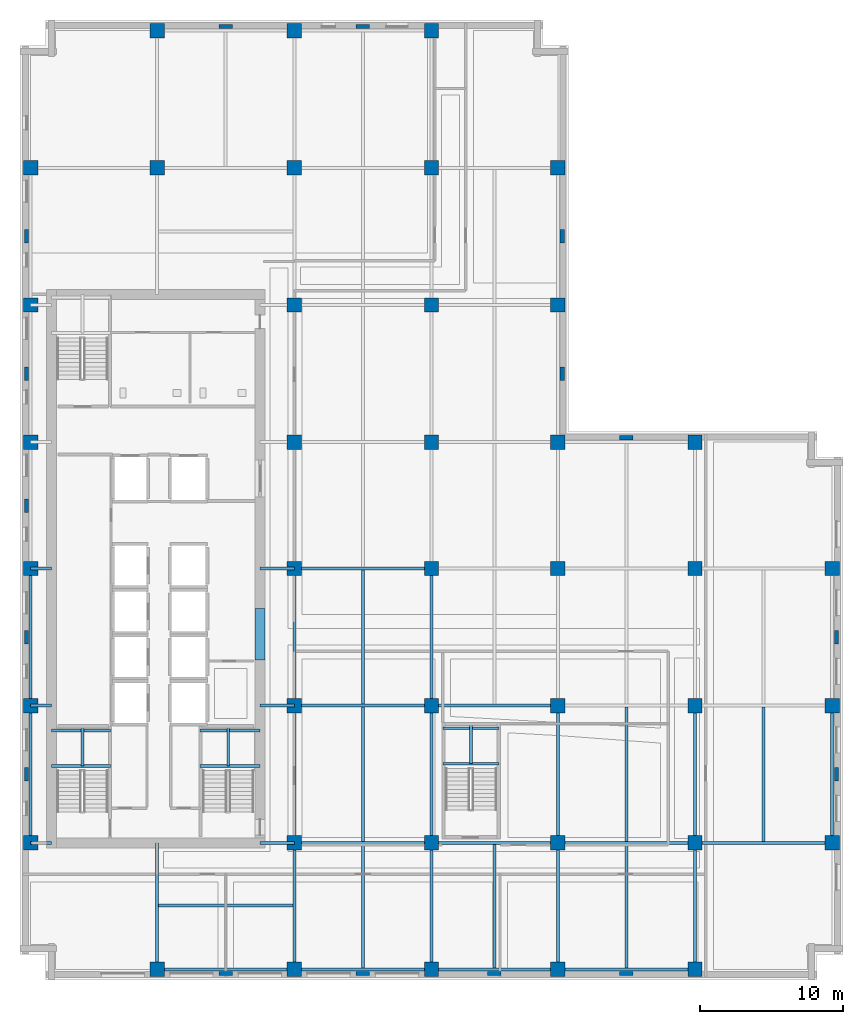
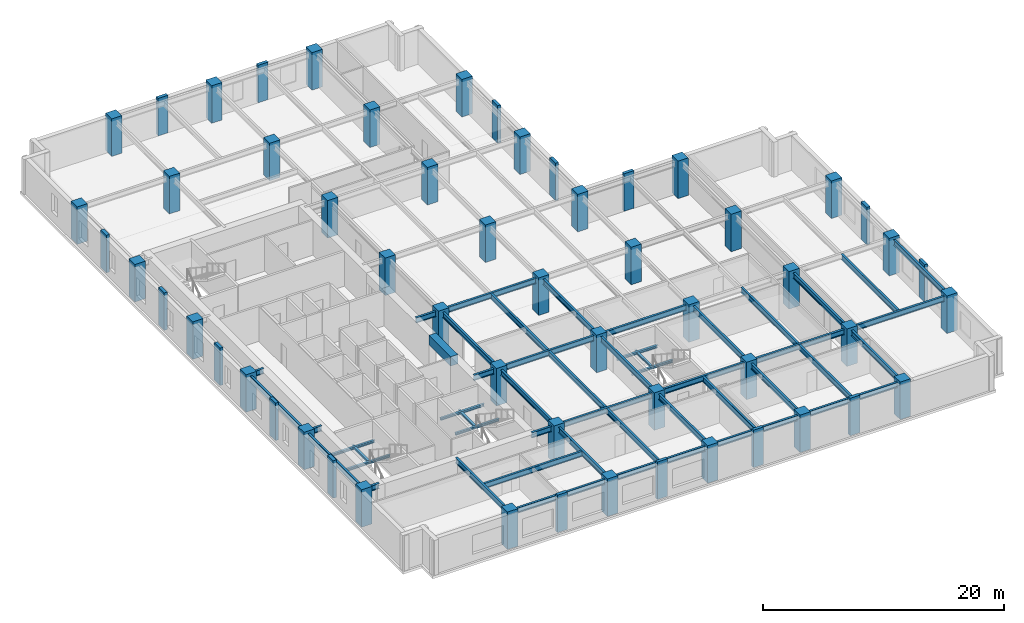
# One storey, part 1 of 12: 56 columns, 49 beams.
"""IFC4 building model written with IfcOpenShell, lengths in metres."""

from ifc_helpers import new_model, si_unit, direction, frame, origin, origin_2d, place, context, subcontext, project, spatial, rectangle, i_section, extrude, material, material_profile, profile_set, type_object, element, save


model = new_model("IFC4")

# Units and contexts
model_context = context("Model", 3, precision=1e-05, world=origin(), true_north=direction((0.0, 1.0)))
body_context = subcontext(model_context, "Body", "Model", "MODEL_VIEW")
ifc_project = project(units=[si_unit("LENGTHUNIT", "METRE"), si_unit("AREAUNIT", "SQUARE_METRE"), si_unit("VOLUMEUNIT", "CUBIC_METRE"), si_unit("PLANEANGLEUNIT", "RADIAN"), si_unit("MASSUNIT", "GRAM", prefix="KILO")], contexts=[model_context])

# Site, building, storey
site_placement = place(None, origin())
site = spatial("IfcSite", under=ifc_project, at=site_placement, CompositionType="ELEMENT")
building_placement = place(site_placement, origin())
building = spatial("IfcBuilding", under=site, at=building_placement, Name="Norrvale University Quadrangle", CompositionType="ELEMENT")
storey_placement = place(building_placement, frame((0.0, 0.0, 139.39990234375)))
storey = spatial("IfcBuildingStorey", under=building, at=storey_placement, Name="L35", CompositionType="ELEMENT", Elevation=139.39990234375)

# Columns
ifc_material_1 = material(Name="Red Manganese Brick Concrete C60/75", Category="concrete")
ifc_material_profile_1 = material_profile(ifc_material_1, rectangle(XDim=0.949951171875, YDim=0.300048828125, at=origin_2d()), Name="Red Manganese Brick Concrete C60/75")
ifc_profile_set_1 = profile_set([ifc_material_profile_1], Name="Red Manganese Brick Concrete C60/75")
column_type_1 = type_object("IfcColumnType", Name="Column Brick Pier 950x300", PredefinedType="PILASTER", material=ifc_profile_set_1)
for number, where, z_axis, x_axis, name in (
    (1, (0.449951171875, 14.39990234375, 0.0), (0.0, 0.0, 1.0), (0.0, 1.0, 0.0), "Exterior Brick Facade Pilaster L35-01"),
    (2, (0.449951171875, 24.0, 0.0), (0.0, 0.0, 1.0), (0.0, 1.0, 0.0), "Exterior Brick Facade Pilaster L35-02"),
    (3, (0.449951171875, 33.199951171875, 0.0), (0.0, 0.0, 1.0), (0.0, 1.0, 0.0), "Exterior Brick Facade Pilaster L35-03"),
    (4, (0.449951171875, 42.449951171875, 0.0), (0.0, 0.0, 1.0), (0.0, 1.0, 0.0), "Exterior Brick Facade Pilaster L35-04"),
    (5, (0.449951171875, 52.050048828125, 0.0), (0.0, 0.0, 1.0), (0.0, 1.0, 0.0), "Exterior Brick Facade Pilaster L35-05"),
    (6, (14.39990234375, 0.449951171875, 0.0), (0.0, 0.0, 1.0), (1.0, 0.0, 0.0), "Exterior Brick Facade Pilaster L35-06"),
    (7, (24.0, 0.449951171875, 0.0), (0.0, 0.0, 1.0), (1.0, 0.0, 0.0), "Exterior Brick Facade Pilaster L35-07"),
    (8, (33.199951171875, 0.449951171875, 0.0), (0.0, 0.0, 1.0), (1.0, 0.0, 0.0), "Exterior Brick Facade Pilaster L35-08"),
    (9, (42.449951171875, 0.449951171875, 0.0), (0.0, 0.0, 1.0), (1.0, 0.0, 0.0), "Exterior Brick Facade Pilaster L35-09"),
    (10, (57.14990234375, 14.39990234375, 0.0), (0.0, 0.0, 1.0), (0.0, 1.0, 0.0), "Exterior Brick Facade Pilaster L35-10"),
    (11, (57.14990234375, 24.0, 0.0), (0.0, 0.0, 1.0), (0.0, 1.0, 0.0), "Exterior Brick Facade Pilaster L35-11"),
    (12, (14.39990234375, 66.75, 0.0), (0.0, 0.0, 1.0), (1.0, 0.0, 0.0), "Exterior Brick Facade Pilaster L35-12"),
    (13, (24.0, 66.75, 0.0), (0.0, 0.0, 1.0), (1.0, 0.0, 0.0), "Exterior Brick Facade Pilaster L35-13"),
    (14, (37.949951171875, 42.449951171875, 0.0), (0.0, 0.0, 1.0), (0.0, 1.0, 0.0), "Exterior Brick Facade Pilaster L35-14"),
    (15, (37.949951171875, 52.050048828125, 0.0), (0.0, 0.0, 1.0), (0.0, 1.0, 0.0), "Exterior Brick Facade Pilaster L35-15"),
    (16, (42.449951171875, 37.949951171875, 0.0), (0.0, 0.0, 1.0), (1.0, 0.0, 0.0), "Exterior Brick Facade Pilaster L35-16"),
):
    element("IfcColumn", number, at=place(storey_placement, frame(where, z_axis=z_axis, x_axis=x_axis)), inside=storey, type_object=column_type_1, Name=name, PredefinedType="PILASTER", context=body_context, shape_type="SweptSolid", body=[
        extrude(rectangle(XDim=0.949951171875, YDim=0.300048828125, at=origin_2d()), origin(), (0.0, 0.0, 1.0), 3.800048828125),
    ])
ifc_material_2 = material(Name="Concrete C60/75", Category="concrete")
ifc_material_profile_2 = material_profile(ifc_material_2, rectangle(XDim=1.0, YDim=1.0, at=origin_2d()), Name="Concrete C60/75")
ifc_profile_set_2 = profile_set([ifc_material_profile_2], Name="Concrete C60/75")
column_type_2 = type_object("IfcColumnType", Name="Column Tower Z2 1000x1000", PredefinedType="COLUMN", material=ifc_profile_set_2)
for number, where, z_axis, x_axis, name in (
    (17, (0.75, 9.60009765625, 0.0), (0.0, 0.0, 1.0), (1.0, 0.0, 0.0), "Tower Column L35-T01"),
    (18, (0.75, 19.199951171875, 0.0), (0.0, 0.0, 1.0), (1.0, 0.0, 0.0), "Tower Column L35-T02"),
    (19, (0.75, 28.800048828125, 0.0), (0.0, 0.0, 1.0), (1.0, 0.0, 0.0), "Tower Column L35-T03"),
    (20, (0.75, 37.64990234375, 0.0), (0.0, 0.0, 1.0), (1.0, 0.0, 0.0), "Tower Column L35-T04"),
    (21, (0.75, 47.25, 0.0), (0.0, 0.0, 1.0), (1.0, 0.0, 0.0), "Tower Column L35-T05"),
    (22, (0.75, 56.85009765625, 0.0), (0.0, 0.0, 1.0), (1.0, 0.0, 0.0), "Tower Column L35-T06"),
    (23, (9.60009765625, 0.75, 0.0), (0.0, 0.0, 1.0), (1.0, 0.0, 0.0), "Tower Column L35-T07"),
    (24, (9.60009765625, 56.85009765625, 0.0), (0.0, 0.0, 1.0), (1.0, 0.0, 0.0), "Tower Column L35-T08"),
    (25, (9.60009765625, 66.449951171875, 0.0), (0.0, 0.0, 1.0), (1.0, 0.0, 0.0), "Tower Column L35-T09"),
    (26, (19.199951171875, 0.75, 0.0), (0.0, 0.0, 1.0), (1.0, 0.0, 0.0), "Tower Column L35-T10"),
    (27, (19.199951171875, 9.60009765625, 0.0), (0.0, 0.0, 1.0), (1.0, 0.0, 0.0), "Tower Column L35-T11"),
    (28, (19.199951171875, 19.199951171875, 0.0), (0.0, 0.0, 1.0), (1.0, 0.0, 0.0), "Tower Column L35-T12"),
    (29, (19.199951171875, 28.800048828125, 0.0), (0.0, 0.0, 1.0), (1.0, 0.0, 0.0), "Tower Column L35-T13"),
    (30, (19.199951171875, 37.64990234375, 0.0), (0.0, 0.0, 1.0), (1.0, 0.0, 0.0), "Tower Column L35-T14"),
    (31, (19.199951171875, 47.25, 0.0), (0.0, 0.0, 1.0), (1.0, 0.0, 0.0), "Tower Column L35-T15"),
    (32, (19.199951171875, 56.85009765625, 0.0), (0.0, 0.0, 1.0), (1.0, 0.0, 0.0), "Tower Column L35-T16"),
    (33, (19.199951171875, 66.449951171875, 0.0), (0.0, 0.0, 1.0), (1.0, 0.0, 0.0), "Tower Column L35-T17"),
    (34, (28.800048828125, 0.75, 0.0), (0.0, 0.0, 1.0), (1.0, 0.0, 0.0), "Tower Column L35-T18"),
    (35, (28.800048828125, 9.60009765625, 0.0), (0.0, 0.0, 1.0), (1.0, 0.0, 0.0), "Tower Column L35-T19"),
    (36, (28.800048828125, 19.199951171875, 0.0), (0.0, 0.0, 1.0), (1.0, 0.0, 0.0), "Tower Column L35-T20"),
    (37, (28.800048828125, 28.800048828125, 0.0), (0.0, 0.0, 1.0), (1.0, 0.0, 0.0), "Tower Column L35-T21"),
    (38, (28.800048828125, 37.64990234375, 0.0), (0.0, 0.0, 1.0), (1.0, 0.0, 0.0), "Tower Column L35-T22"),
    (39, (28.800048828125, 47.25, 0.0), (0.0, 0.0, 1.0), (1.0, 0.0, 0.0), "Tower Column L35-T23"),
    (40, (28.800048828125, 56.85009765625, 0.0), (0.0, 0.0, 1.0), (1.0, 0.0, 0.0), "Tower Column L35-T24"),
    (41, (28.800048828125, 66.449951171875, 0.0), (0.0, 0.0, 1.0), (1.0, 0.0, 0.0), "Tower Column L35-T25"),
    (42, (37.64990234375, 0.75, 0.0), (0.0, 0.0, 1.0), (1.0, 0.0, 0.0), "Tower Column L35-T26"),
    (43, (37.64990234375, 9.60009765625, 0.0), (0.0, 0.0, 1.0), (1.0, 0.0, 0.0), "Tower Column L35-T27"),
    (44, (37.64990234375, 19.199951171875, 0.0), (0.0, 0.0, 1.0), (1.0, 0.0, 0.0), "Tower Column L35-T28"),
    (45, (37.64990234375, 28.800048828125, 0.0), (0.0, 0.0, 1.0), (1.0, 0.0, 0.0), "Tower Column L35-T29"),
    (46, (37.64990234375, 37.64990234375, 0.0), (0.0, 0.0, 1.0), (1.0, 0.0, 0.0), "Tower Column L35-T30"),
    (47, (37.64990234375, 47.25, 0.0), (0.0, 0.0, 1.0), (1.0, 0.0, 0.0), "Tower Column L35-T31"),
    (48, (37.64990234375, 56.85009765625, 0.0), (0.0, 0.0, 1.0), (1.0, 0.0, 0.0), "Tower Column L35-T32"),
    (49, (47.25, 0.75, 0.0), (0.0, 0.0, 1.0), (1.0, 0.0, 0.0), "Tower Column L35-T33"),
    (50, (47.25, 9.60009765625, 0.0), (0.0, 0.0, 1.0), (1.0, 0.0, 0.0), "Tower Column L35-T34"),
    (51, (47.25, 19.199951171875, 0.0), (0.0, 0.0, 1.0), (1.0, 0.0, 0.0), "Tower Column L35-T35"),
    (52, (47.25, 28.800048828125, 0.0), (0.0, 0.0, 1.0), (1.0, 0.0, 0.0), "Tower Column L35-T36"),
    (53, (47.25, 37.64990234375, 0.0), (0.0, 0.0, 1.0), (1.0, 0.0, 0.0), "Tower Column L35-T37"),
    (54, (56.85009765625, 9.60009765625, 0.0), (0.0, 0.0, 1.0), (1.0, 0.0, 0.0), "Tower Column L35-T38"),
    (55, (56.85009765625, 19.199951171875, 0.0), (0.0, 0.0, 1.0), (1.0, 0.0, 0.0), "Tower Column L35-T39"),
    (56, (56.85009765625, 28.800048828125, 0.0), (0.0, 0.0, 1.0), (1.0, 0.0, 0.0), "Tower Column L35-T40"),
):
    element("IfcColumn", number, at=place(storey_placement, frame(where, z_axis=z_axis, x_axis=x_axis)), inside=storey, type_object=column_type_2, Name=name, PredefinedType="COLUMN", context=body_context, shape_type="SweptSolid", body=[
        extrude(rectangle(XDim=1.0, YDim=1.0, at=origin_2d()), origin(), (0.0, 0.0, 1.0), 3.800048828125),
    ])

# Beams
ifc_material_3 = material(Name="Concrete C80/95", Category="concrete")
ifc_material_profile_3 = material_profile(ifc_material_3, rectangle(XDim=0.699951171875, YDim=0.949951171875, at=origin_2d()), Name="Concrete C80/95")
ifc_profile_set_3 = profile_set([ifc_material_profile_3], Name="Concrete C80/95")
beam_type_1 = type_object("IfcBeamType", Name="Beam Core Link 700x950", PredefinedType="LINTEL", material=ifc_profile_set_3)
beam_1_placement = place(storey_placement, frame((16.800048828125, 22.39990234375, 3.065185546875), z_axis=(0.0, 1.0, 0.0), x_axis=(-1.0, 0.0, 0.0)))
element("IfcBeam", 57, at=beam_1_placement, inside=storey, type_object=beam_type_1, Name="Core Coupling Lintel Beam L35-1", PredefinedType="LINTEL", context=body_context, shape_type="SweptSolid", body=[
    extrude(rectangle(XDim=0.699951171875, YDim=0.949951171875, at=origin_2d()), origin(), (0.0, 0.0, 1.0), 3.60009765625),
])
ifc_material_4 = material(Name="Steel 350W", Category="steel")
ifc_material_profile_4 = material_profile(ifc_material_4, i_section(OverallWidth=0.2119140625, OverallDepth=0.5439453125, WebThickness=0.01318359375, FlangeThickness=0.021240234375, FilletRadius=0.013916015625, at=origin_2d()), Name="Steel 350W")
ifc_profile_set_4 = profile_set([ifc_material_profile_4], Name="Steel 350W")
beam_type_2 = type_object("IfcBeamType", Name="Beam Floor W530x123", PredefinedType="BEAM", material=ifc_profile_set_4)
beam_2_placement = place(storey_placement, frame((9.60009765625, 0.75, 3.26806640625), z_axis=(1.0, 0.0, 0.0), x_axis=(0.0, 1.0, 0.0)))
element("IfcBeam", 58, at=beam_2_placement, inside=storey, type_object=beam_type_2, Name="Beam Floor W530x123 BM-L35-GX001", PredefinedType="BEAM", context=body_context, shape_type="SweptSolid", body=[
    extrude(i_section(OverallWidth=0.2119140625, OverallDepth=0.5439453125, WebThickness=0.01318359375, FlangeThickness=0.021240234375, FilletRadius=0.013916015625, at=origin_2d()), origin(), (0.0, 0.0, 1.0), 9.599853515625),
])
beam_3_placement = place(storey_placement, frame((19.199951171875, 0.75, 3.26806640625), z_axis=(1.0, 0.0, 0.0), x_axis=(0.0, 1.0, 0.0)))
element("IfcBeam", 59, at=beam_3_placement, inside=storey, type_object=beam_type_2, Name="Beam Floor W530x123 BM-L35-GX002", PredefinedType="BEAM", context=body_context, shape_type="SweptSolid", body=[
    extrude(i_section(OverallWidth=0.2119140625, OverallDepth=0.5439453125, WebThickness=0.01318359375, FlangeThickness=0.021240234375, FilletRadius=0.013916015625, at=origin_2d()), origin(), (0.0, 0.0, 1.0), 9.60009765625),
])
beam_4_placement = place(storey_placement, frame((28.800048828125, 0.75, 3.26806640625), z_axis=(1.0, 0.0, 0.0), x_axis=(0.0, 1.0, 0.0)))
element("IfcBeam", 60, at=beam_4_placement, inside=storey, type_object=beam_type_2, Name="Beam Floor W530x123 BM-L35-GX003", PredefinedType="BEAM", context=body_context, shape_type="SweptSolid", body=[
    extrude(i_section(OverallWidth=0.2119140625, OverallDepth=0.5439453125, WebThickness=0.01318359375, FlangeThickness=0.021240234375, FilletRadius=0.013916015625, at=origin_2d()), origin(), (0.0, 0.0, 1.0), 8.849853515625),
])
for number, where, z_axis, x_axis, name in (
    (61, (37.64990234375, 0.75, 3.26806640625), (1.0, 0.0, 0.0), (0.0, 1.0, 0.0), "Beam Floor W530x123 BM-L35-GX004"),
    (62, (19.199951171875, 9.60009765625, 3.26806640625), (1.0, 0.0, 0.0), (0.0, 1.0, 0.0), "Beam Floor W530x123 BM-L35-GX005"),
):
    element("IfcBeam", number, at=place(storey_placement, frame(where, z_axis=z_axis, x_axis=x_axis)), inside=storey, type_object=beam_type_2, Name=name, PredefinedType="BEAM", context=body_context, shape_type="SweptSolid", body=[
        extrude(i_section(OverallWidth=0.2119140625, OverallDepth=0.5439453125, WebThickness=0.01318359375, FlangeThickness=0.021240234375, FilletRadius=0.013916015625, at=origin_2d()), origin(), (0.0, 0.0, 1.0), 9.60009765625),
    ])
beam_5_placement = place(storey_placement, frame((28.800048828125, 9.60009765625, 3.26806640625), z_axis=(1.0, 0.0, 0.0), x_axis=(0.0, 1.0, 0.0)))
element("IfcBeam", 63, at=beam_5_placement, inside=storey, type_object=beam_type_2, Name="Beam Floor W530x123 BM-L35-GX006", PredefinedType="BEAM", context=body_context, shape_type="SweptSolid", body=[
    extrude(i_section(OverallWidth=0.2119140625, OverallDepth=0.5439453125, WebThickness=0.01318359375, FlangeThickness=0.021240234375, FilletRadius=0.013916015625, at=origin_2d()), origin(), (0.0, 0.0, 1.0), 8.849853515625),
])
for number, where, z_axis, x_axis, name in (
    (64, (37.64990234375, 9.60009765625, 3.26806640625), (1.0, 0.0, 0.0), (0.0, 1.0, 0.0), "Beam Floor W530x123 BM-L35-GX007"),
    (65, (47.25, 9.60009765625, 3.26806640625), (1.0, 0.0, 0.0), (0.0, 1.0, 0.0), "Beam Floor W530x123 BM-L35-GX008"),
    (66, (19.199951171875, 19.199951171875, 3.26806640625), (1.0, 0.0, 0.0), (0.0, 1.0, 0.0), "Beam Floor W530x123 BM-L35-GX009"),
):
    element("IfcBeam", number, at=place(storey_placement, frame(where, z_axis=z_axis, x_axis=x_axis)), inside=storey, type_object=beam_type_2, Name=name, PredefinedType="BEAM", context=body_context, shape_type="SweptSolid", body=[
        extrude(i_section(OverallWidth=0.2119140625, OverallDepth=0.5439453125, WebThickness=0.01318359375, FlangeThickness=0.021240234375, FilletRadius=0.013916015625, at=origin_2d()), origin(), (0.0, 0.0, 1.0), 9.60009765625),
    ])
beam_6_placement = place(storey_placement, frame((28.800048828125, 19.199951171875, 3.26806640625), z_axis=(1.0, 0.0, 0.0), x_axis=(0.0, 1.0, 0.0)))
element("IfcBeam", 67, at=beam_6_placement, inside=storey, type_object=beam_type_2, Name="Beam Floor W530x123 BM-L35-GX010", PredefinedType="BEAM", context=body_context, shape_type="SweptSolid", body=[
    extrude(i_section(OverallWidth=0.2119140625, OverallDepth=0.5439453125, WebThickness=0.01318359375, FlangeThickness=0.021240234375, FilletRadius=0.013916015625, at=origin_2d()), origin(), (0.0, 0.0, 1.0), 8.849853515625),
])
beam_7_placement = place(storey_placement, frame((19.199951171875, 28.800048828125, 3.26806640625), z_axis=(1.0, 0.0, 0.0), x_axis=(0.0, 1.0, 0.0)))
element("IfcBeam", 68, at=beam_7_placement, inside=storey, type_object=beam_type_2, Name="Beam Floor W530x123 BM-L35-GX013", PredefinedType="BEAM", context=body_context, shape_type="SweptSolid", body=[
    extrude(i_section(OverallWidth=0.2119140625, OverallDepth=0.5439453125, WebThickness=0.01318359375, FlangeThickness=0.021240234375, FilletRadius=0.013916015625, at=origin_2d()), origin(), (0.0, 0.0, 1.0), 9.60009765625),
])
beam_8_placement = place(storey_placement, frame((0.75, 9.60009765625, 3.26806640625), z_axis=(0.0, 1.0, 0.0), x_axis=(-1.0, 0.0, 0.0)))
element("IfcBeam", 69, at=beam_8_placement, inside=storey, type_object=beam_type_2, Name="Beam Floor W530x123 BM-L35-GY028", PredefinedType="BEAM", context=body_context, shape_type="SweptSolid", body=[
    extrude(i_section(OverallWidth=0.2119140625, OverallDepth=0.5439453125, WebThickness=0.01318359375, FlangeThickness=0.021240234375, FilletRadius=0.013916015625, at=origin_2d()), origin(), (0.0, 0.0, 1.0), 9.599853515625),
])
beam_9_placement = place(storey_placement, frame((0.75, 19.199951171875, 3.26806640625), z_axis=(0.0, 1.0, 0.0), x_axis=(-1.0, 0.0, 0.0)))
element("IfcBeam", 70, at=beam_9_placement, inside=storey, type_object=beam_type_2, Name="Beam Floor W530x123 BM-L35-GY029", PredefinedType="BEAM", context=body_context, shape_type="SweptSolid", body=[
    extrude(i_section(OverallWidth=0.2119140625, OverallDepth=0.5439453125, WebThickness=0.01318359375, FlangeThickness=0.021240234375, FilletRadius=0.013916015625, at=origin_2d()), origin(), (0.0, 0.0, 1.0), 9.60009765625),
])
beam_10_placement = place(storey_placement, frame((19.199951171875, 0.75, 3.26806640625), z_axis=(0.0, 1.0, 0.0), x_axis=(-1.0, 0.0, 0.0)))
element("IfcBeam", 71, at=beam_10_placement, inside=storey, type_object=beam_type_2, Name="Beam Floor W530x123 BM-L35-GY034", PredefinedType="BEAM", context=body_context, shape_type="SweptSolid", body=[
    extrude(i_section(OverallWidth=0.2119140625, OverallDepth=0.5439453125, WebThickness=0.01318359375, FlangeThickness=0.021240234375, FilletRadius=0.013916015625, at=origin_2d()), origin(), (0.0, 0.0, 1.0), 8.85009765625),
])
beam_11_placement = place(storey_placement, frame((19.199951171875, 9.60009765625, 3.26806640625), z_axis=(0.0, 1.0, 0.0), x_axis=(-1.0, 0.0, 0.0)))
element("IfcBeam", 72, at=beam_11_placement, inside=storey, type_object=beam_type_2, Name="Beam Floor W530x123 BM-L35-GY035", PredefinedType="BEAM", context=body_context, shape_type="SweptSolid", body=[
    extrude(i_section(OverallWidth=0.2119140625, OverallDepth=0.5439453125, WebThickness=0.01318359375, FlangeThickness=0.021240234375, FilletRadius=0.013916015625, at=origin_2d()), origin(), (0.0, 0.0, 1.0), 9.599853515625),
])
beam_12_placement = place(storey_placement, frame((19.199951171875, 19.199951171875, 3.26806640625), z_axis=(0.0, 1.0, 0.0), x_axis=(-1.0, 0.0, 0.0)))
element("IfcBeam", 73, at=beam_12_placement, inside=storey, type_object=beam_type_2, Name="Beam Floor W530x123 BM-L35-GY036", PredefinedType="BEAM", context=body_context, shape_type="SweptSolid", body=[
    extrude(i_section(OverallWidth=0.2119140625, OverallDepth=0.5439453125, WebThickness=0.01318359375, FlangeThickness=0.021240234375, FilletRadius=0.013916015625, at=origin_2d()), origin(), (0.0, 0.0, 1.0), 9.60009765625),
])
beam_13_placement = place(storey_placement, frame((28.800048828125, 0.75, 3.26806640625), z_axis=(0.0, 1.0, 0.0), x_axis=(-1.0, 0.0, 0.0)))
element("IfcBeam", 74, at=beam_13_placement, inside=storey, type_object=beam_type_2, Name="Beam Floor W530x123 BM-L35-GY041", PredefinedType="BEAM", context=body_context, shape_type="SweptSolid", body=[
    extrude(i_section(OverallWidth=0.2119140625, OverallDepth=0.5439453125, WebThickness=0.01318359375, FlangeThickness=0.021240234375, FilletRadius=0.013916015625, at=origin_2d()), origin(), (0.0, 0.0, 1.0), 8.85009765625),
])
beam_14_placement = place(storey_placement, frame((28.800048828125, 9.60009765625, 3.26806640625), z_axis=(0.0, 1.0, 0.0), x_axis=(-1.0, 0.0, 0.0)))
element("IfcBeam", 75, at=beam_14_placement, inside=storey, type_object=beam_type_2, Name="Beam Floor W530x123 BM-L35-GY042", PredefinedType="BEAM", context=body_context, shape_type="SweptSolid", body=[
    extrude(i_section(OverallWidth=0.2119140625, OverallDepth=0.5439453125, WebThickness=0.01318359375, FlangeThickness=0.021240234375, FilletRadius=0.013916015625, at=origin_2d()), origin(), (0.0, 0.0, 1.0), 9.599853515625),
])
beam_15_placement = place(storey_placement, frame((28.800048828125, 19.199951171875, 3.26806640625), z_axis=(0.0, 1.0, 0.0), x_axis=(-1.0, 0.0, 0.0)))
element("IfcBeam", 76, at=beam_15_placement, inside=storey, type_object=beam_type_2, Name="Beam Floor W530x123 BM-L35-GY043", PredefinedType="BEAM", context=body_context, shape_type="SweptSolid", body=[
    extrude(i_section(OverallWidth=0.2119140625, OverallDepth=0.5439453125, WebThickness=0.01318359375, FlangeThickness=0.021240234375, FilletRadius=0.013916015625, at=origin_2d()), origin(), (0.0, 0.0, 1.0), 9.60009765625),
])
beam_16_placement = place(storey_placement, frame((37.64990234375, 0.75, 3.26806640625), z_axis=(0.0, 1.0, 0.0), x_axis=(-1.0, 0.0, 0.0)))
element("IfcBeam", 77, at=beam_16_placement, inside=storey, type_object=beam_type_2, Name="Beam Floor W530x123 BM-L35-GY048", PredefinedType="BEAM", context=body_context, shape_type="SweptSolid", body=[
    extrude(i_section(OverallWidth=0.2119140625, OverallDepth=0.5439453125, WebThickness=0.01318359375, FlangeThickness=0.021240234375, FilletRadius=0.013916015625, at=origin_2d()), origin(), (0.0, 0.0, 1.0), 8.85009765625),
])
beam_17_placement = place(storey_placement, frame((37.64990234375, 9.60009765625, 3.26806640625), z_axis=(0.0, 1.0, 0.0), x_axis=(-1.0, 0.0, 0.0)))
element("IfcBeam", 78, at=beam_17_placement, inside=storey, type_object=beam_type_2, Name="Beam Floor W530x123 BM-L35-GY049", PredefinedType="BEAM", context=body_context, shape_type="SweptSolid", body=[
    extrude(i_section(OverallWidth=0.2119140625, OverallDepth=0.5439453125, WebThickness=0.01318359375, FlangeThickness=0.021240234375, FilletRadius=0.013916015625, at=origin_2d()), origin(), (0.0, 0.0, 1.0), 9.599853515625),
])
beam_18_placement = place(storey_placement, frame((47.25, 0.75, 3.26806640625), z_axis=(0.0, 1.0, 0.0), x_axis=(-1.0, 0.0, 0.0)))
element("IfcBeam", 79, at=beam_18_placement, inside=storey, type_object=beam_type_2, Name="Beam Floor W530x123 BM-L35-GY054", PredefinedType="BEAM", context=body_context, shape_type="SweptSolid", body=[
    extrude(i_section(OverallWidth=0.2119140625, OverallDepth=0.5439453125, WebThickness=0.01318359375, FlangeThickness=0.021240234375, FilletRadius=0.013916015625, at=origin_2d()), origin(), (0.0, 0.0, 1.0), 8.85009765625),
])
for number, where, z_axis, x_axis, name in (
    (80, (47.25, 9.60009765625, 3.26806640625), (0.0, 1.0, 0.0), (-1.0, 0.0, 0.0), "Beam Floor W530x123 BM-L35-GY055"),
    (81, (56.85009765625, 9.60009765625, 3.26806640625), (0.0, 1.0, 0.0), (-1.0, 0.0, 0.0), "Beam Floor W530x123 BM-L35-GY058"),
):
    element("IfcBeam", number, at=place(storey_placement, frame(where, z_axis=z_axis, x_axis=x_axis)), inside=storey, type_object=beam_type_2, Name=name, PredefinedType="BEAM", context=body_context, shape_type="SweptSolid", body=[
        extrude(i_section(OverallWidth=0.2119140625, OverallDepth=0.5439453125, WebThickness=0.01318359375, FlangeThickness=0.021240234375, FilletRadius=0.013916015625, at=origin_2d()), origin(), (0.0, 0.0, 1.0), 9.599853515625),
    ])
beam_19_placement = place(storey_placement, frame((0.75, 9.60009765625, 3.26806640625), z_axis=(1.0, 0.0, 0.0), x_axis=(0.0, 1.0, 0.0)))
element("IfcBeam", 82, at=beam_19_placement, inside=storey, type_object=beam_type_2, Name="Beam Floor W530x123 BM-L35-GCW060", PredefinedType="BEAM", context=body_context, shape_type="SweptSolid", body=[
    extrude(i_section(OverallWidth=0.2119140625, OverallDepth=0.5439453125, WebThickness=0.01318359375, FlangeThickness=0.021240234375, FilletRadius=0.013916015625, at=origin_2d()), origin(), (0.0, 0.0, 1.0), 1.449951171875),
])
beam_20_placement = place(storey_placement, frame((16.800048828125, 9.60009765625, 3.26806640625), z_axis=(1.0, 0.0, 0.0), x_axis=(0.0, 1.0, 0.0)))
element("IfcBeam", 83, at=beam_20_placement, inside=storey, type_object=beam_type_2, Name="Beam Floor W530x123 BM-L35-GCE061", PredefinedType="BEAM", context=body_context, shape_type="SweptSolid", body=[
    extrude(i_section(OverallWidth=0.2119140625, OverallDepth=0.5439453125, WebThickness=0.01318359375, FlangeThickness=0.021240234375, FilletRadius=0.013916015625, at=origin_2d()), origin(), (0.0, 0.0, 1.0), 2.39990234375),
])
beam_21_placement = place(storey_placement, frame((0.75, 19.199951171875, 3.26806640625), z_axis=(1.0, 0.0, 0.0), x_axis=(0.0, 1.0, 0.0)))
element("IfcBeam", 84, at=beam_21_placement, inside=storey, type_object=beam_type_2, Name="Beam Floor W530x123 BM-L35-GCW062", PredefinedType="BEAM", context=body_context, shape_type="SweptSolid", body=[
    extrude(i_section(OverallWidth=0.2119140625, OverallDepth=0.5439453125, WebThickness=0.01318359375, FlangeThickness=0.021240234375, FilletRadius=0.013916015625, at=origin_2d()), origin(), (0.0, 0.0, 1.0), 1.449951171875),
])
beam_22_placement = place(storey_placement, frame((16.800048828125, 19.199951171875, 3.26806640625), z_axis=(1.0, 0.0, 0.0), x_axis=(0.0, 1.0, 0.0)))
element("IfcBeam", 85, at=beam_22_placement, inside=storey, type_object=beam_type_2, Name="Beam Floor W530x123 BM-L35-GCE063", PredefinedType="BEAM", context=body_context, shape_type="SweptSolid", body=[
    extrude(i_section(OverallWidth=0.2119140625, OverallDepth=0.5439453125, WebThickness=0.01318359375, FlangeThickness=0.021240234375, FilletRadius=0.013916015625, at=origin_2d()), origin(), (0.0, 0.0, 1.0), 2.39990234375),
])
beam_23_placement = place(storey_placement, frame((0.75, 28.800048828125, 3.26806640625), z_axis=(1.0, 0.0, 0.0), x_axis=(0.0, 1.0, 0.0)))
element("IfcBeam", 86, at=beam_23_placement, inside=storey, type_object=beam_type_2, Name="Beam Floor W530x123 BM-L35-GCW064", PredefinedType="BEAM", context=body_context, shape_type="SweptSolid", body=[
    extrude(i_section(OverallWidth=0.2119140625, OverallDepth=0.5439453125, WebThickness=0.01318359375, FlangeThickness=0.021240234375, FilletRadius=0.013916015625, at=origin_2d()), origin(), (0.0, 0.0, 1.0), 1.449951171875),
])
beam_24_placement = place(storey_placement, frame((16.800048828125, 28.800048828125, 3.26806640625), z_axis=(1.0, 0.0, 0.0), x_axis=(0.0, 1.0, 0.0)))
element("IfcBeam", 87, at=beam_24_placement, inside=storey, type_object=beam_type_2, Name="Beam Floor W530x123 BM-L35-GCE065", PredefinedType="BEAM", context=body_context, shape_type="SweptSolid", body=[
    extrude(i_section(OverallWidth=0.2119140625, OverallDepth=0.5439453125, WebThickness=0.01318359375, FlangeThickness=0.021240234375, FilletRadius=0.013916015625, at=origin_2d()), origin(), (0.0, 0.0, 1.0), 2.39990234375),
])
beam_25_placement = place(storey_placement, frame((9.60009765625, 0.75, 3.26806640625), z_axis=(0.0, 1.0, 0.0), x_axis=(-1.0, 0.0, 0.0)))
element("IfcBeam", 88, at=beam_25_placement, inside=storey, type_object=beam_type_2, Name="Beam Floor W530x123 BM-L35-GCS089", PredefinedType="BEAM", context=body_context, shape_type="SweptSolid", body=[
    extrude(i_section(OverallWidth=0.2119140625, OverallDepth=0.5439453125, WebThickness=0.01318359375, FlangeThickness=0.021240234375, FilletRadius=0.013916015625, at=origin_2d()), origin(), (0.0, 0.0, 1.0), 8.85009765625),
])
ifc_material_profile_5 = material_profile(ifc_material_4, i_section(OverallWidth=0.208984375, OverallDepth=0.532958984375, WebThickness=0.01025390625, FlangeThickness=0.015625, FilletRadius=0.013916015625, at=origin_2d()), Name="Steel 350W")
ifc_profile_set_5 = profile_set([ifc_material_profile_5], Name="Steel 350W")
beam_type_3 = type_object("IfcBeamType", Name="Beam Floor W530x92", PredefinedType="JOIST", material=ifc_profile_set_5)
beam_26_placement = place(storey_placement, frame((24.0, 0.85595703125, 3.273681640625), z_axis=(0.0, 1.0, 0.0), x_axis=(-1.0, 0.0, 0.0)))
element("IfcBeam", 89, at=beam_26_placement, inside=storey, type_object=beam_type_3, Name="Beam Floor W530x92 BM-L35-J071", PredefinedType="JOIST", context=body_context, shape_type="SweptSolid", body=[
    extrude(i_section(OverallWidth=0.208984375, OverallDepth=0.532958984375, WebThickness=0.01025390625, FlangeThickness=0.015625, FilletRadius=0.013916015625, at=origin_2d()), origin(), (0.0, 0.0, 1.0), 8.637939453125),
])
beam_27_placement = place(storey_placement, frame((24.0, 9.7060546875, 3.273681640625), z_axis=(0.0, 1.0, 0.0), x_axis=(-1.0, 0.0, 0.0)))
element("IfcBeam", 90, at=beam_27_placement, inside=storey, type_object=beam_type_3, Name="Beam Floor W530x92 BM-L35-J072", PredefinedType="JOIST", context=body_context, shape_type="SweptSolid", body=[
    extrude(i_section(OverallWidth=0.208984375, OverallDepth=0.532958984375, WebThickness=0.01025390625, FlangeThickness=0.015625, FilletRadius=0.013916015625, at=origin_2d()), origin(), (0.0, 0.0, 1.0), 9.387939453125),
])
beam_28_placement = place(storey_placement, frame((24.0, 19.305908203125, 3.273681640625), z_axis=(0.0, 1.0, 0.0), x_axis=(-1.0, 0.0, 0.0)))
element("IfcBeam", 91, at=beam_28_placement, inside=storey, type_object=beam_type_3, Name="Beam Floor W530x92 BM-L35-J073", PredefinedType="JOIST", context=body_context, shape_type="SweptSolid", body=[
    extrude(i_section(OverallWidth=0.208984375, OverallDepth=0.532958984375, WebThickness=0.01025390625, FlangeThickness=0.015625, FilletRadius=0.013916015625, at=origin_2d()), origin(), (0.0, 0.0, 1.0), 9.38818359375),
])
for number, where, z_axis, x_axis, name in (
    (92, (33.22509765625, 0.85595703125, 3.273681640625), (0.0, 1.0, 0.0), (-1.0, 0.0, 0.0), "Beam Floor W530x92 BM-L35-J078"),
    (93, (42.449951171875, 0.85595703125, 3.273681640625), (0.0, 1.0, 0.0), (-1.0, 0.0, 0.0), "Beam Floor W530x92 BM-L35-J083"),
):
    element("IfcBeam", number, at=place(storey_placement, frame(where, z_axis=z_axis, x_axis=x_axis)), inside=storey, type_object=beam_type_3, Name=name, PredefinedType="JOIST", context=body_context, shape_type="SweptSolid", body=[
        extrude(i_section(OverallWidth=0.208984375, OverallDepth=0.532958984375, WebThickness=0.01025390625, FlangeThickness=0.015625, FilletRadius=0.013916015625, at=origin_2d()), origin(), (0.0, 0.0, 1.0), 8.637939453125),
    ])
for number, where, z_axis, x_axis, name in (
    (94, (42.449951171875, 9.7060546875, 3.273681640625), (0.0, 1.0, 0.0), (-1.0, 0.0, 0.0), "Beam Floor W530x92 BM-L35-J084"),
    (95, (52.050048828125, 9.7060546875, 3.273681640625), (0.0, 1.0, 0.0), (-1.0, 0.0, 0.0), "Beam Floor W530x92 BM-L35-J087"),
    (96, (9.7060546875, 5.199951171875, 3.273681640625), (1.0, 0.0, 0.0), (0.0, 1.0, 0.0), "Beam Floor W530x92 BM-L35-JCS090"),
):
    element("IfcBeam", number, at=place(storey_placement, frame(where, z_axis=z_axis, x_axis=x_axis)), inside=storey, type_object=beam_type_3, Name=name, PredefinedType="JOIST", context=body_context, shape_type="SweptSolid", body=[
        extrude(i_section(OverallWidth=0.208984375, OverallDepth=0.532958984375, WebThickness=0.01025390625, FlangeThickness=0.015625, FilletRadius=0.013916015625, at=origin_2d()), origin(), (0.0, 0.0, 1.0), 9.387939453125),
    ])
ifc_material_profile_6 = material_profile(ifc_material_4, i_section(OverallWidth=0.201904296875, OverallDepth=0.2470703125, WebThickness=0.00732421875, FlangeThickness=0.010986328125, FilletRadius=0.011962890625, at=origin_2d()), Name="Steel 350W")
ifc_profile_set_6 = profile_set([ifc_material_profile_6], Name="Steel 350W")
beam_type_4 = type_object("IfcBeamType", Name="Beam Stair W250x49", PredefinedType="BEAM", material=ifc_profile_set_6)
for number, where, z_axis, x_axis, name in (
    (97, (2.199951171875, 14.989990234375, 1.57666015625), (1.0, 0.0, 0.0), (0.0, 1.0, 0.0), "Stair Mid-Landing Front Beam ST-01 L35"),
    (98, (2.199951171875, 17.469970703125, 1.57666015625), (1.0, 0.0, 0.0), (0.0, 1.0, 0.0), "Stair Mid-Landing Rear Beam ST-01 L35"),
):
    element("IfcBeam", number, at=place(storey_placement, frame(where, z_axis=z_axis, x_axis=x_axis)), inside=storey, type_object=beam_type_4, Name=name, PredefinedType="BEAM", context=body_context, shape_type="SweptSolid", body=[
        extrude(i_section(OverallWidth=0.201904296875, OverallDepth=0.2470703125, WebThickness=0.00732421875, FlangeThickness=0.010986328125, FilletRadius=0.011962890625, at=origin_2d()), origin(), (0.0, 0.0, 1.0), 4.14013671875),
    ])
for number, where, z_axis, x_axis, name in (
    (99, (12.610107421875, 14.989990234375, 1.57666015625), (1.0, 0.0, 0.0), (0.0, 1.0, 0.0), "Stair Mid-Landing Front Beam ST-03 L35"),
    (100, (12.610107421875, 17.469970703125, 1.57666015625), (1.0, 0.0, 0.0), (0.0, 1.0, 0.0), "Stair Mid-Landing Rear Beam ST-03 L35"),
):
    element("IfcBeam", number, at=place(storey_placement, frame(where, z_axis=z_axis, x_axis=x_axis)), inside=storey, type_object=beam_type_4, Name=name, PredefinedType="BEAM", context=body_context, shape_type="SweptSolid", body=[
        extrude(i_section(OverallWidth=0.201904296875, OverallDepth=0.2470703125, WebThickness=0.00732421875, FlangeThickness=0.010986328125, FilletRadius=0.011962890625, at=origin_2d()), origin(), (0.0, 0.0, 1.0), 4.18994140625),
    ])
for number, where, z_axis, x_axis, name in (
    (101, (29.610107421875, 15.139892578125, 1.57666015625), (1.0, 0.0, 0.0), (0.0, 1.0, 0.0), "Stair Mid-Landing Front Beam ST-04 L35"),
    (102, (29.610107421875, 17.6201171875, 1.57666015625), (1.0, 0.0, 0.0), (0.0, 1.0, 0.0), "Stair Mid-Landing Rear Beam ST-04 L35"),
):
    element("IfcBeam", number, at=place(storey_placement, frame(where, z_axis=z_axis, x_axis=x_axis)), inside=storey, type_object=beam_type_4, Name=name, PredefinedType="BEAM", context=body_context, shape_type="SweptSolid", body=[
        extrude(i_section(OverallWidth=0.201904296875, OverallDepth=0.2470703125, WebThickness=0.00732421875, FlangeThickness=0.010986328125, FilletRadius=0.011962890625, at=origin_2d()), origin(), (0.0, 0.0, 1.0), 3.929931640625),
    ])
ifc_material_profile_7 = material_profile(ifc_material_4, i_section(OverallWidth=0.202880859375, OverallDepth=0.202880859375, WebThickness=0.007080078125, FlangeThickness=0.010986328125, FilletRadius=0.010009765625, at=origin_2d()), Name="Steel 350W")
ifc_profile_set_7 = profile_set([ifc_material_profile_7], Name="Steel 350W")
beam_type_5 = type_object("IfcBeamType", Name="Beam Trim W200x46", PredefinedType="BEAM", material=ifc_profile_set_7)
for number, where, z_axis, x_axis, name in (
    (103, (4.375, 14.989990234375, 1.5986328125), (0.0, 1.0, 0.0), (-1.0, 0.0, 0.0), "Stair Mid-Landing Cross Beam ST-01 L35"),
    (104, (14.574951171875, 14.989990234375, 1.5986328125), (0.0, 1.0, 0.0), (-1.0, 0.0, 0.0), "Stair Mid-Landing Cross Beam ST-03 L35"),
    (105, (31.574951171875, 15.139892578125, 1.5986328125), (0.0, 1.0, 0.0), (-1.0, 0.0, 0.0), "Stair Mid-Landing Cross Beam ST-04 L35"),
):
    element("IfcBeam", number, at=place(storey_placement, frame(where, z_axis=z_axis, x_axis=x_axis)), inside=storey, type_object=beam_type_5, Name=name, PredefinedType="BEAM", context=body_context, shape_type="SweptSolid", body=[
        extrude(i_section(OverallWidth=0.202880859375, OverallDepth=0.202880859375, WebThickness=0.007080078125, FlangeThickness=0.010986328125, FilletRadius=0.010009765625, at=origin_2d()), origin(), (0.0, 0.0, 1.0), 2.800048828125),
    ])

save(model, "model.ifc")
